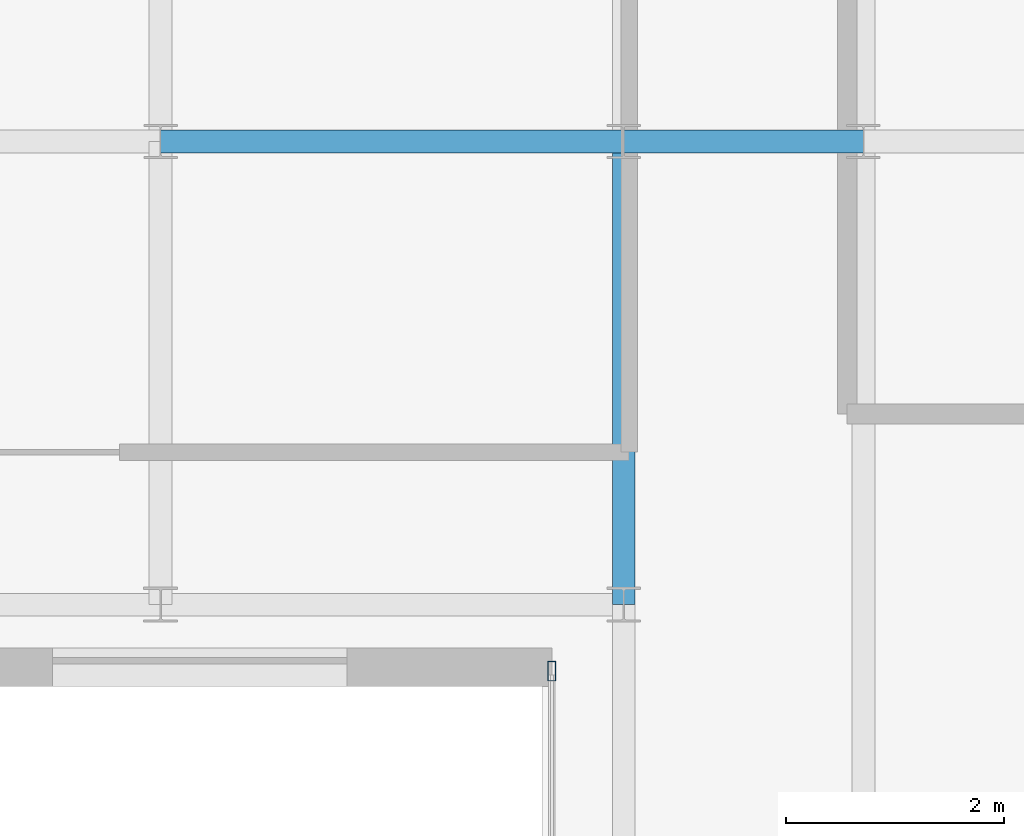
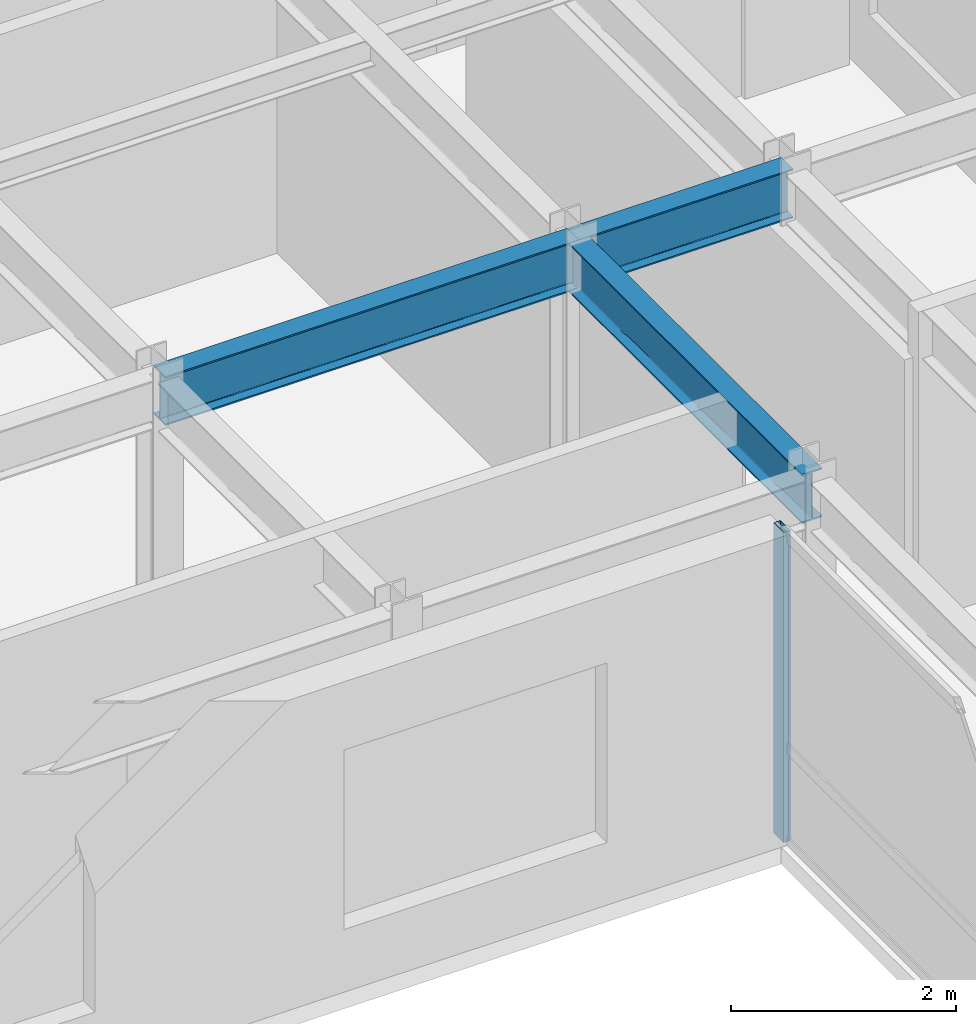
# One storey, part 11 of 18: 3 beams, 1 member, 1 element without a shape of its own.
"""IFC4 building model written with IfcOpenShell, lengths in metres."""

import ifcopenshell
import ifcopenshell.guid

model = None  # the IFC model being written
_history = None  # IfcOwnerHistory: only IFC2X3 demands one
_inside = {}  # id of a spatial element -> (the spatial element, [elements in it])
_under = {}  # id of a project, library or spatial element -> (it, [spatial elements below it])
_declared = {}  # id of a project -> (the project, [libraries it declares])
_typed = {}  # id of a type object -> (the type object, [elements of that type])
_made_of = {}  # id of a material, layer set ... -> (it, [elements and type objects made of it])


def new_model(schema):
    """Start an empty IFC model of exactly this schema.

    Asked for "IFC4X3", IfcOpenShell would pick the latest addendum, in which some entities
    have other attributes; the version numbers below select the first issue.
    IFC2X3 requires an IfcOwnerHistory on every rooted entity: one is made here for all.
    """
    global model, _history
    if schema == "IFC4X3":
        model = ifcopenshell.file(schema_version=(4, 3, 0, 0))
    else:
        model = ifcopenshell.file(schema=schema)
    _inside.clear()
    _under.clear()
    _declared.clear()
    _typed.clear()
    _made_of.clear()
    _history = None
    if model.schema == "IFC2X3":
        org = make("IfcOrganization", Name="unknown")
        user = make(
            "IfcPersonAndOrganization",
            ThePerson=make("IfcPerson", FamilyName="unknown"),
            TheOrganization=org,
        )
        app = make(
            "IfcApplication",
            ApplicationDeveloper=org,
            Version="unknown",
            ApplicationFullName="unknown",
            ApplicationIdentifier="unknown",
        )
        _history = make(
            "IfcOwnerHistory",
            OwningUser=user,
            OwningApplication=app,
            ChangeAction="ADDED",
            CreationDate=0,
        )
    return model


def make(cls, **values):
    """One entity of the class cls with the attributes given. An attribute that is None is left unset."""
    return model.create_entity(
        cls, **{name: value for name, value in values.items() if value is not None}
    )


def rooted(cls, **values):
    """An entity with a GlobalId (a new one), such as an element, a storey or a relation."""
    return make(cls, GlobalId=ifcopenshell.guid.new(), OwnerHistory=_history, **values)


def si_unit(unit_type, name, prefix=None):
    """IfcSIUnit, for example si_unit("LENGTHUNIT", "METRE", prefix="MILLI")."""
    return make("IfcSIUnit", UnitType=unit_type, Prefix=prefix, Name=name)


def assignment(units):
    """IfcUnitAssignment: the units of a project."""
    return None if units is None else make("IfcUnitAssignment", Units=units)


def point(xyz):
    """IfcCartesianPoint."""
    return None if xyz is None else make("IfcCartesianPoint", Coordinates=xyz)


def direction(xyz):
    """IfcDirection."""
    return None if xyz is None else make("IfcDirection", DirectionRatios=xyz)


def frame(location, z_axis=None, x_axis=None):
    """IfcAxis2Placement3D, a coordinate frame: its origin and axes. An axis left out is left unset."""
    return make(
        "IfcAxis2Placement3D",
        Location=point(location),
        Axis=direction(z_axis),
        RefDirection=direction(x_axis),
    )


def frame_2d(location, x_axis=None):
    """IfcAxis2Placement2D, a coordinate frame in the plane: its origin and x axis."""
    return make(
        "IfcAxis2Placement2D", Location=point(location), RefDirection=direction(x_axis)
    )


def origin():
    """The frame at (0, 0, 0) with its axes left unset."""
    return frame((0.0, 0.0, 0.0))


def origin_2d():
    """The frame at (0, 0) in the plane with its x axis left unset."""
    return frame_2d((0.0, 0.0))


def place(relative_to, where):
    """IfcLocalPlacement: puts the frame where relative to a parent placement (None: the world)."""
    return make(
        "IfcLocalPlacement", PlacementRelTo=relative_to, RelativePlacement=where
    )


def context(
    kind, dimensions, precision=None, world=None, true_north=None, identifier=None
):
    """IfcGeometricRepresentationContext, for example the 3D "Model" context."""
    return make(
        "IfcGeometricRepresentationContext",
        ContextIdentifier=identifier,
        ContextType=kind,
        CoordinateSpaceDimension=dimensions,
        Precision=precision,
        WorldCoordinateSystem=world,
        TrueNorth=true_north,
    )


def subcontext(parent, identifier, kind, view, scale=None):
    """IfcGeometricRepresentationSubContext, for example "Body" below "Model"."""
    return make(
        "IfcGeometricRepresentationSubContext",
        ContextIdentifier=identifier,
        ContextType=kind,
        ParentContext=parent,
        TargetScale=scale,
        TargetView=view,
    )


def project(units=None, contexts=None):
    """IfcProject with its units and contexts."""
    return rooted(
        "IfcProject",
        Name="project",
        RepresentationContexts=contexts,
        UnitsInContext=assignment(units),
    )


def spatial(cls, under=None, at=None, **own):
    """A site, building, storey or space (cls), placed at a placement, below another one or the project."""
    s = rooted(cls, ObjectPlacement=at, **own)
    if under is not None:
        _under.setdefault(under.id(), (under, []))[1].append(s)
    return s


def profile(cls, at=None, kind="AREA", **sizes):
    """A parametric profile (cls). Its sizes go by their IFC names, for example OverallWidth=200.0."""
    return make(cls, ProfileType=kind, Position=at, **sizes)


def hollow_rectangle(**sizes):
    """IfcRectangleHollowProfileDef."""
    return profile("IfcRectangleHollowProfileDef", **sizes)


def i_section(**sizes):
    """IfcIShapeProfileDef."""
    return profile("IfcIShapeProfileDef", **sizes)


def extrude(swept, where, along, depth):
    """IfcExtrudedAreaSolid: the profile swept, set in the frame where, extruded along a direction by depth."""
    return make(
        "IfcExtrudedAreaSolid",
        SweptArea=swept,
        Position=where,
        ExtrudedDirection=direction(along),
        Depth=depth,
    )


def shape(context_of_items, identifier, shape_type, items):
    """IfcShapeRepresentation: the items that make up one representation, for example the "Body"."""
    return make(
        "IfcShapeRepresentation",
        ContextOfItems=context_of_items,
        RepresentationIdentifier=identifier,
        RepresentationType=shape_type,
        Items=items,
    )


def source(mapping_origin, context_of_items, identifier, shape_type, items):
    """IfcRepresentationMap: a shape defined once, which mapped items show again and again."""
    return make(
        "IfcRepresentationMap",
        MappingOrigin=mapping_origin,
        MappedRepresentation=shape(context_of_items, identifier, shape_type, items),
    )


def transform(
    local_origin,
    x_axis=None,
    y_axis=None,
    z_axis=None,
    scale=None,
    scale2=None,
    scale3=None,
    uniform=True,
):
    """IfcCartesianTransformationOperator3D, or its non-uniform kind. x_axis, y_axis, z_axis: its Axis1, 2, 3."""
    if uniform:
        return make(
            "IfcCartesianTransformationOperator3D",
            Axis1=direction(x_axis),
            Axis2=direction(y_axis),
            LocalOrigin=point(local_origin),
            Scale=scale,
            Axis3=direction(z_axis),
        )
    return make(
        "IfcCartesianTransformationOperator3DnonUniform",
        Axis1=direction(x_axis),
        Axis2=direction(y_axis),
        LocalOrigin=point(local_origin),
        Scale=scale,
        Axis3=direction(z_axis),
        Scale2=scale2,
        Scale3=scale3,
    )


def mapped(mapping_source, mapping_target):
    """IfcMappedItem: shows the shape of a source again, moved by a transform."""
    return make(
        "IfcMappedItem", MappingSource=mapping_source, MappingTarget=mapping_target
    )


def material(Name=None, Category=None):
    """IfcMaterial."""
    return make("IfcMaterial", Name=Name, Category=Category)


def layer(
    of_material, thickness, ventilated=None, Name=None, Category=None, Priority=None
):
    """IfcMaterialLayer: one layer of a wall or slab, of a material (None: an air gap)."""
    return make(
        "IfcMaterialLayer",
        Material=of_material,
        LayerThickness=thickness,
        IsVentilated=ventilated,
        Name=Name,
        Category=Category,
        Priority=Priority,
    )


def layer_set(layers, Name=None):
    """IfcMaterialLayerSet."""
    return make("IfcMaterialLayerSet", MaterialLayers=layers, LayerSetName=Name)


def material_profile(
    of_material, cross_section, Name=None, Category=None, Priority=None
):
    """IfcMaterialProfile: a cross section and its material."""
    return make(
        "IfcMaterialProfile",
        Name=Name,
        Material=of_material,
        Profile=cross_section,
        Priority=Priority,
        Category=Category,
    )


def profile_set(profiles, Name=None, composite=None):
    """IfcMaterialProfileSet."""
    return make(
        "IfcMaterialProfileSet",
        Name=Name,
        MaterialProfiles=profiles,
        CompositeProfile=composite,
    )


def made_of(thing, what):
    """Note that an element or type object is made of a material, layer set ...; save() writes the relation."""
    if what is not None:
        _made_of.setdefault(what.id(), (what, []))[1].append(thing)
    return thing


def type_object(cls, material=None, **own):
    """A type object (cls), such as IfcWallType, which elements share."""
    return made_of(rooted(cls, **own), material)


def type_shapes(of_type, sources):
    """Give a type object the sources (RepresentationMaps) that its elements show as mapped items."""
    of_type.RepresentationMaps = sources


def element(
    cls,
    number,
    at=None,
    inside=None,
    cuts=None,
    type_object=None,
    material=None,
    context=None,
    identifier="Body",
    shape_type=None,
    held_by="IfcProductDefinitionShape",
    body=None,
    shapes=None,
    **own,
):
    """One element of the class cls, such as IfcWall. Its Tag is "e" and its number.

    at: its placement. inside: the storey or other place that contains it. cuts: it is an
    opening in that element (IfcRelVoidsElement). A single representation is given by context,
    identifier, shape_type and body (its items); several are given by shapes. held_by: the class
    of the entity that holds the representations. save() writes the other relations.
    """
    e = rooted(cls, Tag="e%d" % number, ObjectPlacement=at, **own)
    if body is not None:
        shapes = [shape(context, identifier, shape_type, body)]
    if shapes is not None:
        e.Representation = make(held_by, Representations=shapes)
    if inside is not None:
        _inside.setdefault(inside.id(), (inside, []))[1].append(e)
    if cuts is not None:
        rooted(
            "IfcRelVoidsElement", RelatingBuildingElement=cuts, RelatedOpeningElement=e
        )
    if type_object is not None:
        _typed.setdefault(type_object.id(), (type_object, []))[1].append(e)
    return made_of(e, material)


def aggregate(whole, parts):
    """IfcRelAggregates: a whole, such as a stair, and the parts it consists of."""
    return rooted("IfcRelAggregates", RelatingObject=whole, RelatedObjects=parts)


def save(model, path):
    """Write the relations noted so far, then the file.

    IfcRelAggregates (storeys below a building ...), IfcRelContainedInSpatialStructure (elements
    in a storey), IfcRelDefinesByType, IfcRelAssociatesMaterial and IfcRelDeclares: one each for
    every whole, place, type object, material and project.
    """
    for whole, parts in _under.values():
        aggregate(whole, parts)
    for where, things in _inside.values():
        rooted(
            "IfcRelContainedInSpatialStructure",
            RelatedElements=things,
            RelatingStructure=where,
        )
    for kind, things in _typed.values():
        rooted("IfcRelDefinesByType", RelatedObjects=things, RelatingType=kind)
    for what, things in _made_of.values():
        rooted("IfcRelAssociatesMaterial", RelatedObjects=things, RelatingMaterial=what)
    for by, libraries in _declared.values():
        rooted("IfcRelDeclares", RelatingContext=by, RelatedDefinitions=libraries)
    model.write(path)


model = new_model("IFC4")

# Units and contexts
model_context = context("Model", 3, precision=1e-05, world=origin(), true_north=direction((0.0, 1.0)))
body_context = subcontext(model_context, "Body", "Model", "MODEL_VIEW")
ifc_project = project(units=[si_unit("LENGTHUNIT", "METRE"), si_unit("AREAUNIT", "SQUARE_METRE"), si_unit("VOLUMEUNIT", "CUBIC_METRE"), si_unit("PLANEANGLEUNIT", "RADIAN"), si_unit("MASSUNIT", "GRAM", prefix="KILO")], contexts=[model_context])

# Site, building, storey
site_placement = place(None, origin())
site = spatial("IfcSite", under=ifc_project, at=site_placement, CompositionType="ELEMENT")
building_placement = place(site_placement, origin())
building = spatial("IfcBuilding", under=site, at=building_placement, Name="Tolvann Quenvar Hotel", CompositionType="ELEMENT")
storey_placement = place(building_placement, frame((0.0, 0.0, 245.199951171875)))
storey = spatial("IfcBuildingStorey", under=building, at=storey_placement, Name="L65", CompositionType="ELEMENT", Elevation=245.199951171875)

# Beams
ifc_material_1 = material(Name="Steel Grade 350", Category="steel")
ifc_material_profile_1 = material_profile(ifc_material_1, i_section(OverallWidth=0.208984375, OverallDepth=0.532958984375, WebThickness=0.01025390625, FlangeThickness=0.015625, FilletRadius=0.013916015625, at=origin_2d()), Name="530UB92")
ifc_profile_set_1 = profile_set([ifc_material_profile_1], Name="Steel Grade 350")
beam_type = type_object("IfcBeamType", Name="BM_GIRD_530UB92", PredefinedType="BEAM", material=ifc_profile_set_1)
shared_shape_1 = source(origin(), body_context, "Body", "SweptSolid", [
    extrude(i_section(OverallWidth=0.208984375, OverallDepth=0.532958984375, WebThickness=0.01025390625, FlangeThickness=0.015625, FilletRadius=0.013916015625, at=origin_2d()), origin(), (0.0, 0.0, 1.0), 2.199951171875),
])
beam_placement = place(storey_placement, frame((32.75, 24.39990234375, 3.103515625), z_axis=(1.0, 0.0, 0.0), x_axis=(0.0, 1.0, 0.0)))
element("IfcBeam", 1, at=beam_placement, inside=storey, type_object=beam_type, Name="BM-L65-EW-5-FP5-F5", PredefinedType="BEAM", context=body_context, shape_type="MappedRepresentation", body=[
    mapped(shared_shape_1, transform((0.0, 0.0, 0.0), x_axis=(1.0, 0.0, 0.0), y_axis=(0.0, 1.0, 0.0), z_axis=(0.0, 0.0, 1.0), scale=1.0)),
])
shared_shape_2 = source(origin(), body_context, "Body", "SweptSolid", [
    extrude(i_section(OverallWidth=0.208984375, OverallDepth=0.532958984375, WebThickness=0.01025390625, FlangeThickness=0.015625, FilletRadius=0.013916015625, at=origin_2d()), origin(), (0.0, 0.0, 1.0), 4.25),
])
type_shapes(beam_type, [shared_shape_1, shared_shape_2])
for number, where, z_axis, x_axis, name in (
    (2, (28.5, 24.39990234375, 3.103515625), (1.0, 0.0, 0.0), (0.0, 1.0, 0.0), "BM-L65-EW-5-M5-FP5"),
    (3, (32.75, 20.14990234375, 3.103515625), (0.0, 1.0, 0.0), (-1.0, 0.0, 0.0), "BM-L65-NS-FP4P-FP5"),
):
    element("IfcBeam", number, at=place(storey_placement, frame(where, z_axis=z_axis, x_axis=x_axis)), inside=storey, type_object=beam_type, Name=name, PredefinedType="BEAM", context=body_context, shape_type="MappedRepresentation", body=[
        mapped(shared_shape_2, transform((0.0, 0.0, 0.0), x_axis=(1.0, 0.0, 0.0), y_axis=(0.0, 1.0, 0.0), z_axis=(0.0, 0.0, 1.0), scale=1.0)),
    ])

# Curtain wall, member
ifc_material_2 = material(Name="Thermally broken anodised architectural aluminium 6063-T6 and laminated low-E glass", Category="aluminium")
ifc_layer = layer(ifc_material_2, 0.179931640625)
ifc_layer_set = layer_set([ifc_layer], Name="Thermally broken anodised architectural aluminium 6063-T6 and laminated low-E glass")
curtain_wall_type = type_object("IfcCurtainWallType", Name="CW_SYS_PORTAL_05", PredefinedType="USERDEFINED", material=ifc_layer_set)
curtain_wall_placement = place(storey_placement, origin())
curtain_wall = element("IfcCurtainWall", 4, at=curtain_wall_placement, inside=storey, type_object=curtain_wall_type, Name="Curtain Wall CW-PORTAL-05 (CWR-L65-E07)", ObjectType="UNITISED CURTAIN WALL", PredefinedType="USERDEFINED")
ifc_material_3 = material(Name="Anodised architectural aluminium 6063-T6 framing", Category="aluminium")
ifc_material_profile_2 = material_profile(ifc_material_3, hollow_rectangle(XDim=0.070068359375, YDim=0.179931640625, WallThickness=0.00390625, at=origin_2d()), Name="180x70x4RHS")
ifc_profile_set_2 = profile_set([ifc_material_profile_2], Name="Anodised architectural aluminium 6063-T6 framing")
member_type = type_object("IfcMemberType", Name="CW_MULL_180x70", PredefinedType="MULLION", material=ifc_profile_set_2)
shared_shape_3 = source(origin(), body_context, "Body", "SweptSolid", [
    extrude(hollow_rectangle(XDim=0.070068359375, YDim=0.179931640625, WallThickness=0.00390625, at=origin_2d()), origin(), (0.0, 0.0, 1.0), 3.3701171875),
])
type_shapes(member_type, [shared_shape_3])
member_placement = place(storey_placement, frame((32.090087890625, 19.5400390625, 0.0), z_axis=(0.0, 0.0, 1.0), x_axis=(1.0, 0.0, 0.0)))
member = element("IfcMember", 5, at=member_placement, type_object=member_type, Name="CW-PORTAL-05 mullion 1", PredefinedType="MULLION", context=body_context, shape_type="MappedRepresentation", body=[
    mapped(shared_shape_3, transform((0.0, 0.0, 0.0), x_axis=(1.0, 0.0, 0.0), y_axis=(0.0, 1.0, 0.0), z_axis=(0.0, 0.0, 1.0), scale=1.0)),
])
aggregate(curtain_wall, [member])

save(model, "model.ifc")
